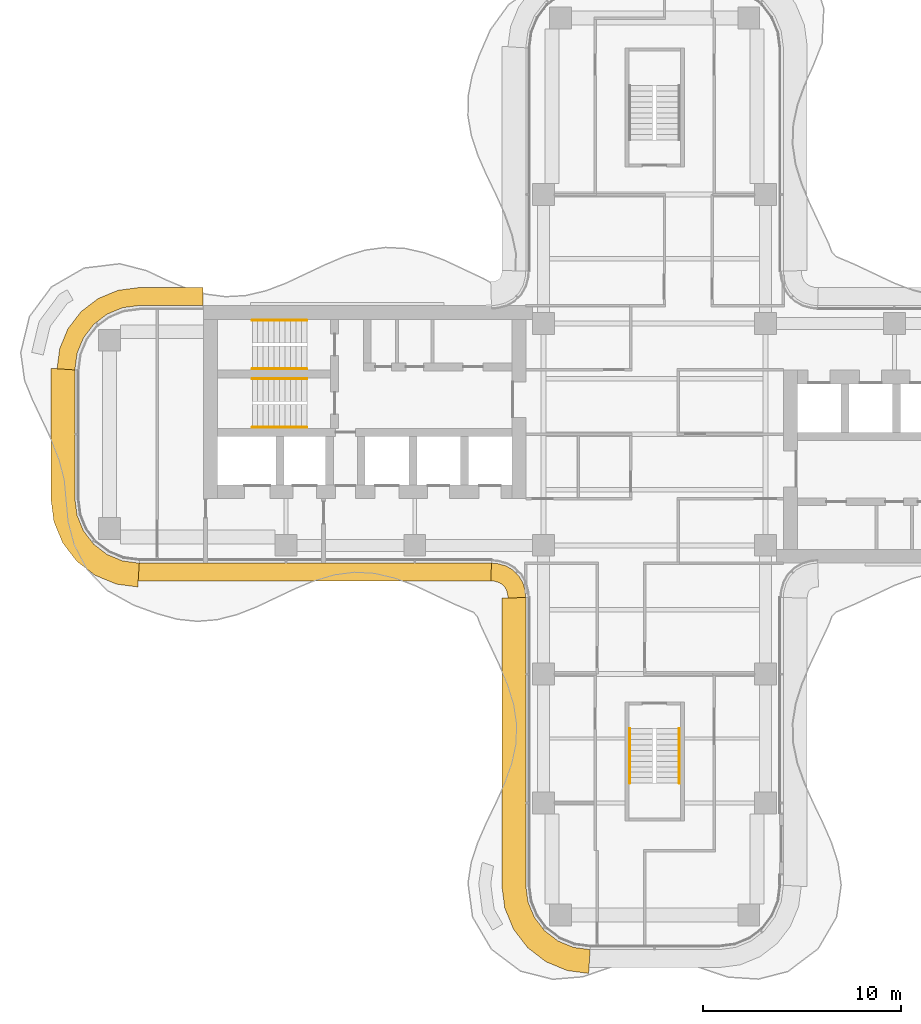
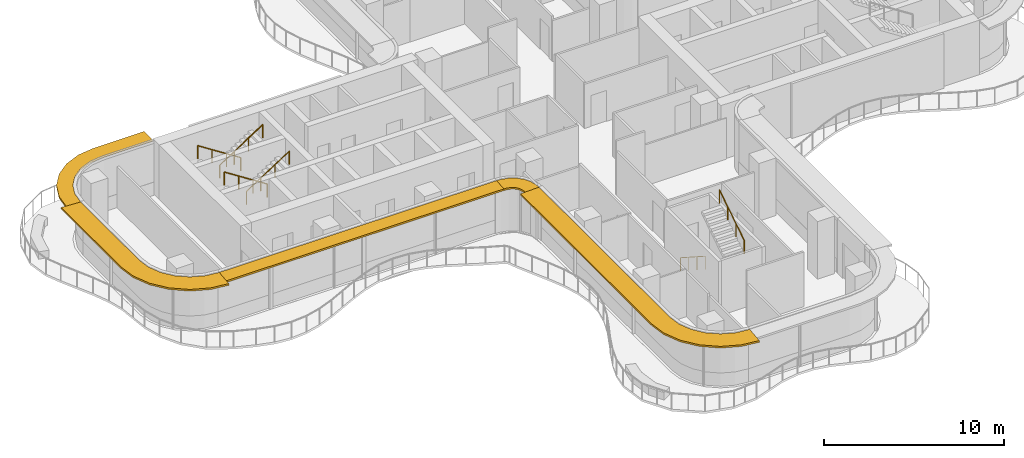
# One storey, part 16 of 17: 6 railings, 5 shading devices.
"""IFC4 building model written with IfcOpenShell, lengths in metres."""

from ifc_helpers import new_model, si_unit, direction, frame, origin, origin_2d, place, context, subcontext, project, spatial, polyline, circle, outline, extrude, source, transform, mapped, material, layer, layer_set, type_object, element, save


model = new_model("IFC4")

# Units and contexts
model_context = context("Model", 3, precision=1e-05, world=origin(), true_north=direction((0.0, 1.0)))
body_context = subcontext(model_context, "Body", "Model", "MODEL_VIEW")
ifc_project = project(units=[si_unit("LENGTHUNIT", "METRE"), si_unit("AREAUNIT", "SQUARE_METRE"), si_unit("VOLUMEUNIT", "CUBIC_METRE"), si_unit("PLANEANGLEUNIT", "RADIAN"), si_unit("MASSUNIT", "GRAM", prefix="KILO")], contexts=[model_context])

# Site, building, storey
site_placement = place(None, origin())
site = spatial("IfcSite", under=ifc_project, at=site_placement, CompositionType="ELEMENT")
building_placement = place(site_placement, origin())
building = spatial("IfcBuilding", under=site, at=building_placement, Name="Trellis Farm Tower", CompositionType="ELEMENT")
storey_placement = place(building_placement, frame((0.0, 0.0, 236.300048828125)))
storey = spatial("IfcBuildingStorey", under=building, at=storey_placement, Name="L52", CompositionType="ELEMENT", Elevation=236.300048828125)

# Railings
ifc_material_1 = material(Name="Stainless steel", Category="steel")
railing_type = type_object("IfcRailingType", Name="STAIR HANDRAIL 900", PredefinedType="HANDRAIL", material=ifc_material_1)
shared_shape_1 = source(origin(), body_context, "Body", "SweptSolid", [
    extrude(circle(Radius=0.02392578125, at=origin_2d()), frame((0.0, 0.0, 0.8759765625), z_axis=(0.0, 0.840503830235, 0.541805602924), x_axis=(-1.0, 0.0, 0.0)), (0.0, 0.0, 1.0), 3.271728515625),
    extrude(circle(Radius=0.02099609375, at=origin_2d()), origin(), (0.0, 0.0, 1.0), 0.851806640625),
    extrude(circle(Radius=0.02099609375, at=origin_2d()), frame((0.0, 0.916748046875, 0.5908203125)), (0.0, 0.0, 1.0), 0.851806640625),
    extrude(circle(Radius=0.02099609375, at=origin_2d()), frame((0.0, 1.833251953125, 1.181884765625)), (0.0, 0.0, 1.0), 0.851806640625),
    extrude(circle(Radius=0.02099609375, at=origin_2d()), frame((0.0, 2.75, 1.772705078125)), (0.0, 0.0, 1.0), 0.851806640625),
])
railing_1_placement = place(storey_placement, frame((1.25, -17.60009765625, 2.127197265625)))
element("IfcRailing", 1, at=railing_1_placement, inside=storey, type_object=railing_type, Name="Stair handrail", PredefinedType="HANDRAIL", context=body_context, shape_type="MappedRepresentation", body=[
    mapped(shared_shape_1, transform((0.0, 0.0, 0.0))),
])
shared_shape_2 = source(origin(), body_context, "Body", "SweptSolid", [
    extrude(circle(Radius=0.02392578125, at=origin_2d()), frame((0.0, 0.0, 0.8759765625), z_axis=(0.0, -0.840503830235, 0.541805602924), x_axis=(1.0, 0.0, 0.0)), (0.0, 0.0, 1.0), 3.271728515625),
    extrude(circle(Radius=0.02099609375, at=origin_2d()), origin(), (0.0, 0.0, 1.0), 0.851806640625),
    extrude(circle(Radius=0.02099609375, at=origin_2d()), frame((0.0, -0.916748046875, 0.5908203125)), (0.0, 0.0, 1.0), 0.851806640625),
    extrude(circle(Radius=0.02099609375, at=origin_2d()), frame((0.0, -1.833251953125, 1.181884765625)), (0.0, 0.0, 1.0), 0.851806640625),
    extrude(circle(Radius=0.02099609375, at=origin_2d()), frame((0.0, -2.75, 1.772705078125)), (0.0, 0.0, 1.0), 0.851806640625),
])
railing_2_placement = place(storey_placement, frame((-1.25, -14.85009765625, 0.17724609375)))
element("IfcRailing", 2, at=railing_2_placement, inside=storey, type_object=railing_type, Name="Stair handrail", PredefinedType="HANDRAIL", context=body_context, shape_type="MappedRepresentation", body=[
    mapped(shared_shape_2, transform((0.0, 0.0, 0.0))),
])
shared_shape_3 = source(origin(), body_context, "Body", "SweptSolid", [
    extrude(circle(Radius=0.02392578125, at=origin_2d()), frame((0.0, 0.0, 0.8759765625), z_axis=(0.840503830235, 0.0, 0.541805602924), x_axis=(0.0, 1.0, 0.0)), (0.0, 0.0, 1.0), 3.271728515625),
    extrude(circle(Radius=0.02099609375, at=origin_2d()), origin(), (0.0, 0.0, 1.0), 0.851806640625),
    extrude(circle(Radius=0.02099609375, at=origin_2d()), frame((0.916748046875, 0.0, 0.5908203125)), (0.0, 0.0, 1.0), 0.851806640625),
    extrude(circle(Radius=0.02099609375, at=origin_2d()), frame((1.833251953125, 0.0, 1.181884765625)), (0.0, 0.0, 1.0), 0.851806640625),
    extrude(circle(Radius=0.02099609375, at=origin_2d()), frame((2.75, 0.0, 1.772705078125)), (0.0, 0.0, 1.0), 0.851806640625),
])
for number, where, name in (
    (3, (-20.300048828125, 3.300048828125, 2.127197265625), "Stair handrail"),
    (4, (-20.300048828125, 0.35009765625, 2.127197265625), "Stair handrail"),
):
    element("IfcRailing", number, at=place(storey_placement, frame(where)), inside=storey, type_object=railing_type, Name=name, PredefinedType="HANDRAIL", context=body_context, shape_type="MappedRepresentation", body=[
        mapped(shared_shape_3, transform((0.0, 0.0, 0.0))),
    ])
shared_shape_4 = source(origin(), body_context, "Body", "SweptSolid", [
    extrude(circle(Radius=0.02392578125, at=origin_2d()), frame((0.0, 0.0, 0.8759765625), z_axis=(-0.840503830235, 0.0, 0.541805602924), x_axis=(0.0, -1.0, 0.0)), (0.0, 0.0, 1.0), 3.271728515625),
    extrude(circle(Radius=0.02099609375, at=origin_2d()), origin(), (0.0, 0.0, 1.0), 0.851806640625),
    extrude(circle(Radius=0.02099609375, at=origin_2d()), frame((-0.916748046875, 0.0, 0.5908203125)), (0.0, 0.0, 1.0), 0.851806640625),
    extrude(circle(Radius=0.02099609375, at=origin_2d()), frame((-1.833251953125, 0.0, 1.181884765625)), (0.0, 0.0, 1.0), 0.851806640625),
    extrude(circle(Radius=0.02099609375, at=origin_2d()), frame((-2.75, 0.0, 1.772705078125)), (0.0, 0.0, 1.0), 0.851806640625),
])
for number, where, name in (
    (5, (-17.550048828125, 5.75, 0.17724609375), "Stair handrail"),
    (6, (-17.550048828125, 2.800048828125, 0.17724609375), "Stair handrail"),
):
    element("IfcRailing", number, at=place(storey_placement, frame(where)), inside=storey, type_object=railing_type, Name=name, PredefinedType="HANDRAIL", context=body_context, shape_type="MappedRepresentation", body=[
        mapped(shared_shape_4, transform((0.0, 0.0, 0.0))),
    ])

# Shading devices
ifc_material_2 = material(Name="Aluminium extrusion 6063-T6", Category="aluminium")
ifc_layer_1 = layer(ifc_material_2, 0.1201171875)
ifc_layer_set_1 = layer_set([ifc_layer_1], Name="SUNSHADE BLADE 900")
shading_device_type_1 = type_object("IfcShadingDeviceType", Name="SUNSHADE BLADE 900", PredefinedType="USERDEFINED", material=ifc_layer_set_1)
shared_shape_5 = source(origin(), body_context, "Body", "SweptSolid", [
    extrude(outline(polyline([(-8.2607421875, -7.39990234375), (-8.107666015625, -7.409912109375), (-8.091552734375, -7.412109375), (-7.85595703125, -7.475341796875), (-7.697021484375, -7.567138671875), (-7.567138671875, -7.697021484375), (-7.475341796875, -7.85595703125), (-7.412109375, -8.091552734375), (-7.409912109375, -8.107666015625), (-7.39990234375, -8.2607421875), (-6.5, -8.2314453125), (-6.513916015625, -8.01953125), (-6.527587890625, -7.91552734375), (-6.63671875, -7.508544921875), (-6.846923828125, -7.144287109375), (-7.144287109375, -6.846923828125), (-7.508544921875, -6.63671875), (-7.91552734375, -6.527587890625), (-8.01953125, -6.513916015625), (-8.2314453125, -6.5), (-8.2607421875, -7.39990234375)])), origin(), (0.0, 0.0, 1.0), 0.119873046875),
])
placement = place(storey_placement, frame((0.0, 0.0, 3.5400390625)))
element("IfcShadingDevice", 7, at=placement, inside=storey, type_object=shading_device_type_1, Name="SD1 002", ObjectType="SUNSHADE", PredefinedType="USERDEFINED", context=body_context, shape_type="MappedRepresentation", body=[
    mapped(shared_shape_5, transform((0.0, 0.0, 0.0))),
])
ifc_layer_2 = layer(ifc_material_2, 0.1201171875)
ifc_layer_set_2 = layer_set([ifc_layer_2], Name="SUNSHADE BLADE 1200")
shading_device_type_2 = type_object("IfcShadingDeviceType", Name="SUNSHADE BLADE 1200", PredefinedType="USERDEFINED", material=ifc_layer_set_2)
shared_shape_6 = source(origin(), body_context, "Body", "SweptSolid", [
    extrude(outline(polyline([(-7.699951171875, -8.270751953125), (-7.699951171875, -22.82861328125), (-7.558349609375, -23.904541015625), (-7.11279296875, -24.980224609375), (-6.404052734375, -25.904052734375), (-5.480224609375, -26.61279296875), (-4.404541015625, -27.058349609375), (-3.32861328125, -27.199951171875), (-3.25, -26.0), (-4.091064453125, -25.88916015625), (-4.875, -25.564697265625), (-5.548095703125, -25.048095703125), (-6.064697265625, -24.375), (-6.38916015625, -23.591064453125), (-6.5, -22.75), (-6.5, -8.2314453125), (-7.699951171875, -8.270751953125)])), origin(), (0.0, 0.0, 1.0), 0.119873046875),
])
element("IfcShadingDevice", 8, at=placement, inside=storey, type_object=shading_device_type_2, Name="SD2 003", ObjectType="SUNSHADE", PredefinedType="USERDEFINED", context=body_context, shape_type="MappedRepresentation", body=[
    mapped(shared_shape_6, transform((0.0, 0.0, 0.0))),
])
shared_shape_7 = source(origin(), body_context, "Body", "SweptSolid", [
    extrude(outline(polyline([(-26.05908203125, -7.39990234375), (-8.2607421875, -7.39990234375), (-8.2314453125, -6.5), (-26.0, -6.5), (-26.05908203125, -7.39990234375)])), origin(), (0.0, 0.0, 1.0), 0.119873046875),
])
element("IfcShadingDevice", 9, at=placement, inside=storey, type_object=shading_device_type_1, Name="SD1 001", ObjectType="SUNSHADE", PredefinedType="USERDEFINED", context=body_context, shape_type="MappedRepresentation", body=[
    mapped(shared_shape_7, transform((0.0, 0.0, 0.0))),
])
shared_shape_8 = source(origin(), body_context, "Body", "SweptSolid", [
    extrude(outline(polyline([(-22.780029296875, 7.39990234375), (-26.05908203125, 7.39990234375), (-27.076171875, 7.26611328125), (-28.078857421875, 6.850830078125), (-28.93994140625, 6.18994140625), (-29.600830078125, 5.328857421875), (-30.01611328125, 4.326171875), (-30.14990234375, 3.30908203125), (-29.25, 3.25), (-29.13916015625, 4.091064453125), (-28.814697265625, 4.875), (-28.298095703125, 5.548095703125), (-27.625, 6.064697265625), (-26.841064453125, 6.38916015625), (-26.0, 6.5), (-22.780029296875, 6.5), (-22.780029296875, 7.39990234375)])), origin(), (0.0, 0.0, 1.0), 0.119873046875),
])
element("IfcShadingDevice", 10, at=placement, inside=storey, type_object=shading_device_type_1, Name="SD1 015", ObjectType="SUNSHADE", PredefinedType="USERDEFINED", context=body_context, shape_type="MappedRepresentation", body=[
    mapped(shared_shape_8, transform((0.0, 0.0, 0.0))),
])
shared_shape_9 = source(origin(), body_context, "Body", "SweptSolid", [
    extrude(outline(polyline([(-30.449951171875, 3.32861328125), (-30.449951171875, -3.32861328125), (-30.308349609375, -4.404541015625), (-29.86279296875, -5.480224609375), (-29.154052734375, -6.404052734375), (-28.230224609375, -7.11279296875), (-27.154541015625, -7.558349609375), (-26.07861328125, -7.699951171875), (-26.0, -6.5), (-26.841064453125, -6.38916015625), (-27.625, -6.064697265625), (-28.298095703125, -5.548095703125), (-28.814697265625, -4.875), (-29.13916015625, -4.091064453125), (-29.25, -3.25), (-29.25, 3.25), (-30.449951171875, 3.32861328125)])), origin(), (0.0, 0.0, 1.0), 0.119873046875),
])
element("IfcShadingDevice", 11, at=placement, inside=storey, type_object=shading_device_type_2, Name="SD2 016", ObjectType="SUNSHADE", PredefinedType="USERDEFINED", context=body_context, shape_type="MappedRepresentation", body=[
    mapped(shared_shape_9, transform((0.0, 0.0, 0.0))),
])

save(model, "model.ifc")
